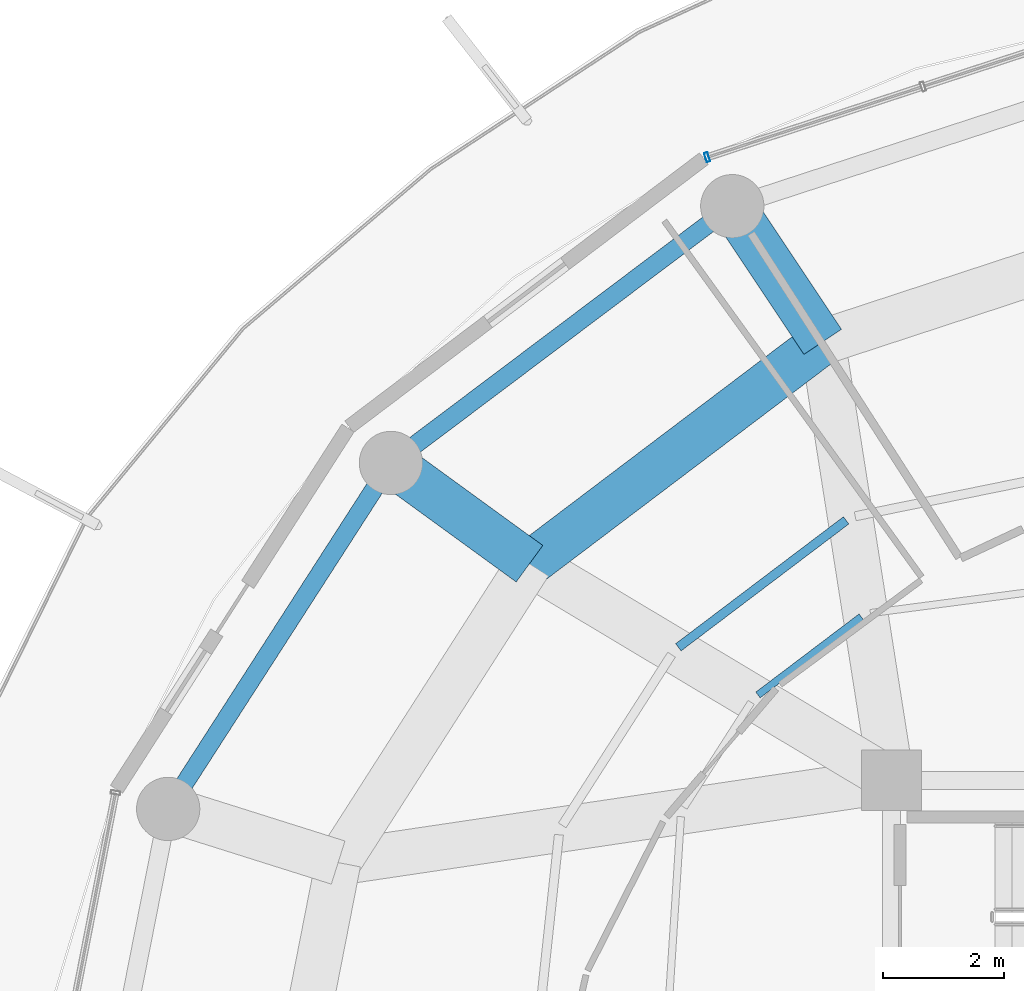
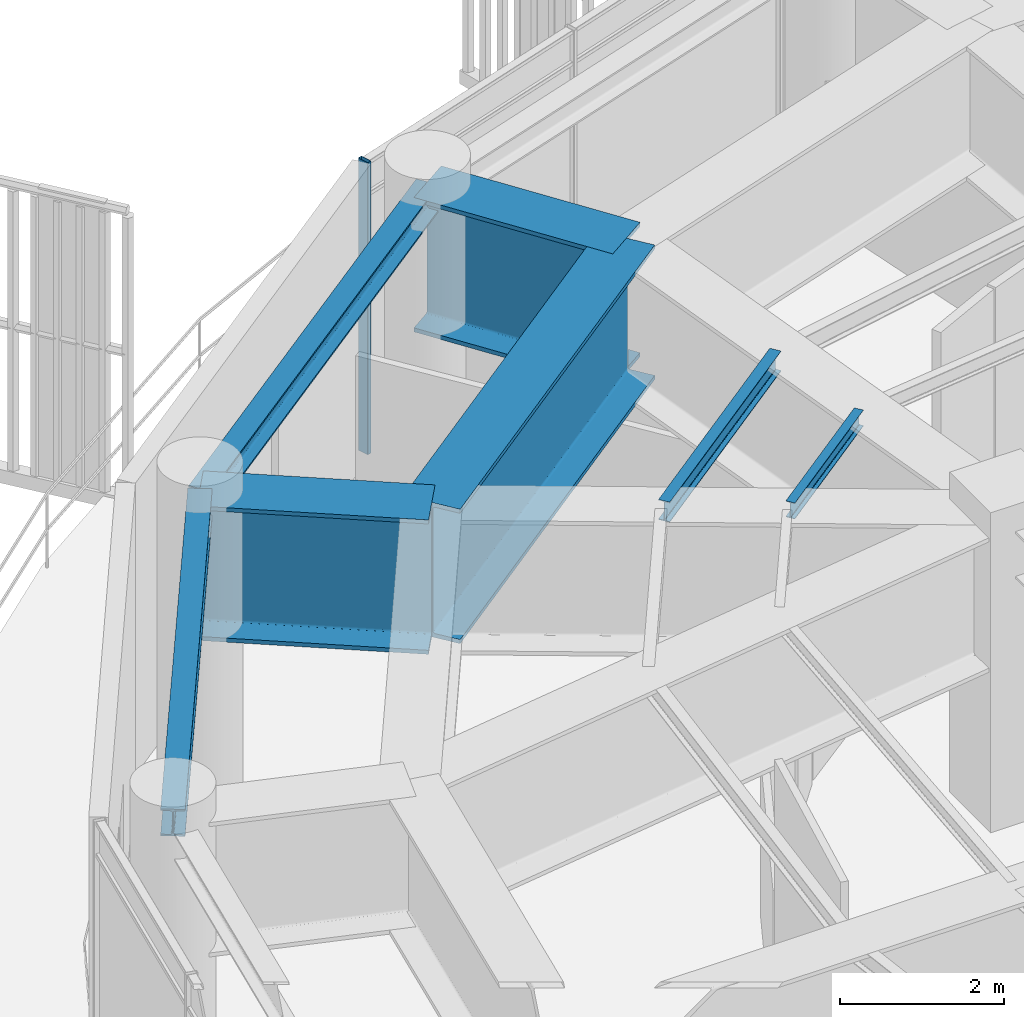
# One storey, part 16 of 29: 7 beams, 1 member, 1 element without a shape of its own.
"""IFC4 building model written with IfcOpenShell, lengths in metres."""

from ifc_helpers import new_model, si_unit, direction, frame, origin, origin_2d, place, context, subcontext, project, spatial, hollow_rectangle, i_section, extrude, material, layer, layer_set, material_profile, profile_set, type_object, element, aggregate, save


model = new_model("IFC4")

# Units and contexts
model_context = context("Model", 3, precision=1e-05, world=origin(), true_north=direction((0.0, 1.0)))
body_context = subcontext(model_context, "Body", "Model", "MODEL_VIEW")
ifc_project = project(units=[si_unit("LENGTHUNIT", "METRE"), si_unit("AREAUNIT", "SQUARE_METRE"), si_unit("VOLUMEUNIT", "CUBIC_METRE"), si_unit("PLANEANGLEUNIT", "RADIAN"), si_unit("MASSUNIT", "GRAM", prefix="KILO")], contexts=[model_context])

# Site, building, storey
site_placement = place(None, origin())
site = spatial("IfcSite", under=ifc_project, at=site_placement, CompositionType="ELEMENT")
building_placement = place(site_placement, origin())
building = spatial("IfcBuilding", under=site, at=building_placement, Name="Kelanora Arch Commons", CompositionType="ELEMENT")
storey_placement = place(building_placement, frame((0.0, 0.0, 238.199951171875)))
storey = spatial("IfcBuildingStorey", under=building, at=storey_placement, Name="L61", CompositionType="ELEMENT", Elevation=238.199951171875)

# Beams
ifc_material_1 = material(Name="Steel S355", Category="steel")
ifc_material_profile_1 = material_profile(ifc_material_1, i_section(OverallWidth=0.14990234375, OverallDepth=0.300048828125, WebThickness=0.007080078125, FlangeThickness=0.0107421875, FilletRadius=0.014892578125, at=origin_2d()), Name="IPE300")
ifc_profile_set_1 = profile_set([ifc_material_profile_1], Name="Steel S355")
beam_type_1 = type_object("IfcBeamType", Name="BM-JST-01", PredefinedType="JOIST", material=ifc_profile_set_1)
beam_1_placement = place(storey_placement, frame((65.248291015625, 69.31201171875, 4.2099609375), z_axis=(-0.797499198801, -0.603320004568, 0.0), x_axis=(0.603320004568, -0.797499198801, 0.0)))
element("IfcBeam", 1, at=beam_1_placement, inside=storey, type_object=beam_type_1, Name="Secondary Chord Joist BJB-12 L61", PredefinedType="JOIST", context=body_context, shape_type="SweptSolid", body=[
    extrude(i_section(OverallWidth=0.14990234375, OverallDepth=0.300048828125, WebThickness=0.007080078125, FlangeThickness=0.0107421875, FilletRadius=0.014892578125, at=origin_2d()), origin(), (0.0, 0.0, 1.0), 3.489013671875),
])
ifc_material_profile_2 = material_profile(ifc_material_1, i_section(OverallWidth=0.1201171875, OverallDepth=0.239990234375, WebThickness=0.006103515625, FlangeThickness=0.009765625, FilletRadius=0.014892578125, at=origin_2d()), Name="IPE240")
ifc_profile_set_2 = profile_set([ifc_material_profile_2], Name="Steel S355")
beam_type_2 = type_object("IfcBeamType", Name="BM-JST-02", PredefinedType="JOIST", material=ifc_profile_set_2)
beam_2_placement = place(storey_placement, frame((65.4990234375, 67.712158203125, 4.239990234375), z_axis=(-0.797509883882, -0.603305880222, 0.0), x_axis=(0.603305880222, -0.797509883882, 0.0)))
element("IfcBeam", 2, at=beam_2_placement, inside=storey, type_object=beam_type_2, Name="Secondary Chord Joist BJA-12 L61", PredefinedType="JOIST", context=body_context, shape_type="SweptSolid", body=[
    extrude(i_section(OverallWidth=0.1201171875, OverallDepth=0.239990234375, WebThickness=0.006103515625, FlangeThickness=0.009765625, FilletRadius=0.014892578125, at=origin_2d()), origin(), (0.0, 0.0, 1.0), 2.147216796875),
])
ifc_material_profile_3 = material_profile(ifc_material_1, i_section(OverallWidth=0.300048828125, OverallDepth=0.39990234375, WebThickness=0.013427734375, FlangeThickness=0.02392578125, FilletRadius=0.027099609375, at=origin_2d()), Name="HEB400")
ifc_profile_set_3 = profile_set([ifc_material_profile_3], Name="Steel S355")
beam_type_3 = type_object("IfcBeamType", Name="BM-SPN-Z4", PredefinedType="SPANDREL", material=ifc_profile_set_3)
beam_3_placement = place(storey_placement, frame((63.360107421875, 74.523681640625, 4.16015625), z_axis=(-0.799114211715, -0.60117923836, 0.0), x_axis=(0.60117923836, -0.799114211715, 0.0)))
element("IfcBeam", 3, at=beam_3_placement, inside=storey, type_object=beam_type_3, Name="Perimeter Spandrel Beam BS-12 L61", PredefinedType="SPANDREL", context=body_context, shape_type="SweptSolid", body=[
    extrude(i_section(OverallWidth=0.300048828125, OverallDepth=0.39990234375, WebThickness=0.013427734375, FlangeThickness=0.02392578125, FilletRadius=0.027099609375, at=origin_2d()), origin(), (0.0, 0.0, 1.0), 7.0849609375),
])
beam_4_placement = place(storey_placement, frame((57.698486328125, 70.264404296875, 4.16015625), z_axis=(-0.541364878868, -0.840787766281, 0.0), x_axis=(0.840787766281, -0.541364878868, 0.0)))
element("IfcBeam", 4, at=beam_4_placement, inside=storey, type_object=beam_type_3, Name="Perimeter Spandrel Beam BS-14 L61", PredefinedType="SPANDREL", context=body_context, shape_type="SweptSolid", body=[
    extrude(i_section(OverallWidth=0.300048828125, OverallDepth=0.39990234375, WebThickness=0.013427734375, FlangeThickness=0.02392578125, FilletRadius=0.027099609375, at=origin_2d()), origin(), (0.0, 0.0, 1.0), 6.825439453125),
])
ifc_material_profile_4 = material_profile(ifc_material_1, i_section(OverallWidth=0.75, OverallDepth=2.0, WebThickness=0.034912109375, FlangeThickness=0.06005859375, FilletRadius=0.028076171875, at=origin_2d()), Name="PG2000x750")
ifc_profile_set_4 = profile_set([ifc_material_profile_4], Name="Steel S355")
beam_type_4 = type_object("IfcBeamType", Name="BM-XFER-SET", PredefinedType="USERDEFINED", material=ifc_profile_set_4)
beam_5_placement = place(storey_placement, frame((64.860107421875, 72.272216796875, 3.360107421875), z_axis=(-0.554450268741, 0.832216858453, 0.0), x_axis=(-0.832216858453, -0.554450268741, 0.0)))
element("IfcBeam", 5, at=beam_5_placement, inside=storey, type_object=beam_type_4, Name="Radial Floor Girder BR-12 L61", ObjectType="TRANSFER_GIRDER", PredefinedType="USERDEFINED", context=body_context, shape_type="SweptSolid", body=[
    extrude(i_section(OverallWidth=0.75, OverallDepth=2.0, WebThickness=0.034912109375, FlangeThickness=0.06005859375, FilletRadius=0.028076171875, at=origin_2d()), origin(), (0.0, 0.0, 1.0), 2.705322265625),
])
beam_6_placement = place(storey_placement, frame((59.99658203125, 68.593017578125, 3.360107421875), z_axis=(-0.808728653653, 0.588181914683, 0.0), x_axis=(-0.588181914683, -0.808728653653, 0.0)))
element("IfcBeam", 6, at=beam_6_placement, inside=storey, type_object=beam_type_4, Name="Radial Floor Girder BR-14 L61", ObjectType="TRANSFER_GIRDER", PredefinedType="USERDEFINED", context=body_context, shape_type="SweptSolid", body=[
    extrude(i_section(OverallWidth=0.75, OverallDepth=2.0, WebThickness=0.034912109375, FlangeThickness=0.06005859375, FilletRadius=0.028076171875, at=origin_2d()), origin(), (0.0, 0.0, 1.0), 2.841552734375),
])
beam_7_placement = place(storey_placement, frame((64.860107421875, 72.272216796875, 3.360107421875), z_axis=(-0.797509460967, -0.603306439273, 0.0), x_axis=(0.603306439273, -0.797509460967, 0.0)))
element("IfcBeam", 7, at=beam_7_placement, inside=storey, type_object=beam_type_4, Name="Setback Inner Transfer Ring BSI-12 L61", ObjectType="TRANSFER_GIRDER", PredefinedType="USERDEFINED", context=body_context, shape_type="SweptSolid", body=[
    extrude(i_section(OverallWidth=0.75, OverallDepth=2.0, WebThickness=0.034912109375, FlangeThickness=0.06005859375, FilletRadius=0.028076171875, at=origin_2d()), origin(), (0.0, 0.0, 1.0), 6.098388671875),
])

# Curtain wall, member
ifc_material_2 = material(Name="Terracotta ceramic-fritted low-E glass and aluminium", Category="masonry")
ifc_layer = layer(ifc_material_2, 0.175048828125)
ifc_layer_set = layer_set([ifc_layer], Name="Terracotta ceramic-fritted low-E glass and aluminium")
curtain_wall_type = type_object("IfcCurtainWallType", Name="CW-SYS-02", PredefinedType="NOTDEFINED", material=ifc_layer_set)
curtain_wall_placement = place(storey_placement, origin())
curtain_wall = element("IfcCurtainWall", 8, at=curtain_wall_placement, inside=storey, type_object=curtain_wall_type, Name="Unitised Curtain Wall L61-B05", PredefinedType="NOTDEFINED")
ifc_material_3 = material(Name="Powder-coated aluminium terracotta", Category="masonry")
ifc_material_profile_5 = material_profile(ifc_material_3, hollow_rectangle(XDim=0.159912109375, YDim=0.06005859375, WallThickness=0.0048828125, InnerFilletRadius=0.0048828125, OuterFilletRadius=0.010009765625, at=origin_2d()), Name="CWM160x60")
ifc_profile_set_5 = profile_set([ifc_material_profile_5], Name="Powder-coated aluminium terracotta")
member_type = type_object("IfcMemberType", Name="CWM-STD", PredefinedType="MULLION", material=ifc_profile_set_5)
member_placement = place(storey_placement, frame((62.94287109375, 75.33447265625, 0.0), z_axis=(0.0, 0.0, 1.0), x_axis=(0.311582439059, -0.950219124029, 0.0)))
member = element("IfcMember", 9, at=member_placement, type_object=member_type, Name="CW-02 mullion 3", PredefinedType="MULLION", context=body_context, shape_type="SweptSolid", body=[
    extrude(hollow_rectangle(XDim=0.159912109375, YDim=0.06005859375, WallThickness=0.0048828125, InnerFilletRadius=0.0048828125, OuterFilletRadius=0.010009765625, at=origin_2d()), origin(), (0.0, 0.0, 1.0), 4.344970703125),
])
aggregate(curtain_wall, [member])

save(model, "model.ifc")
